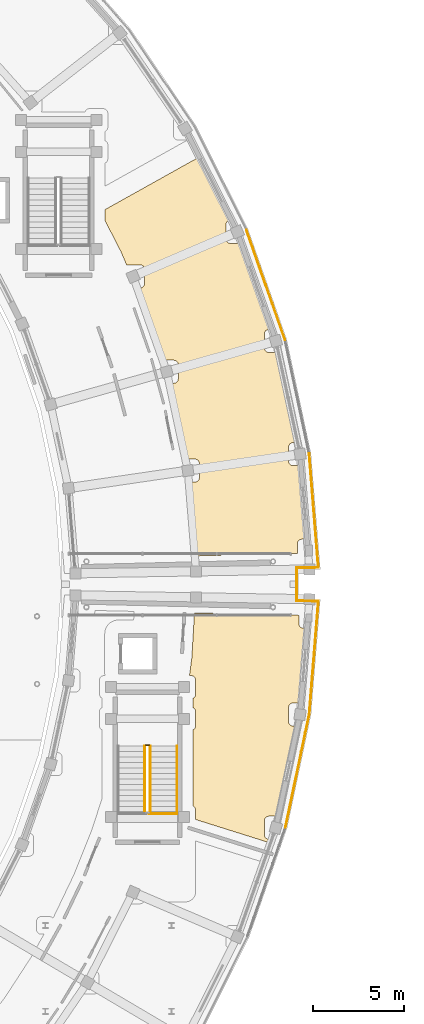
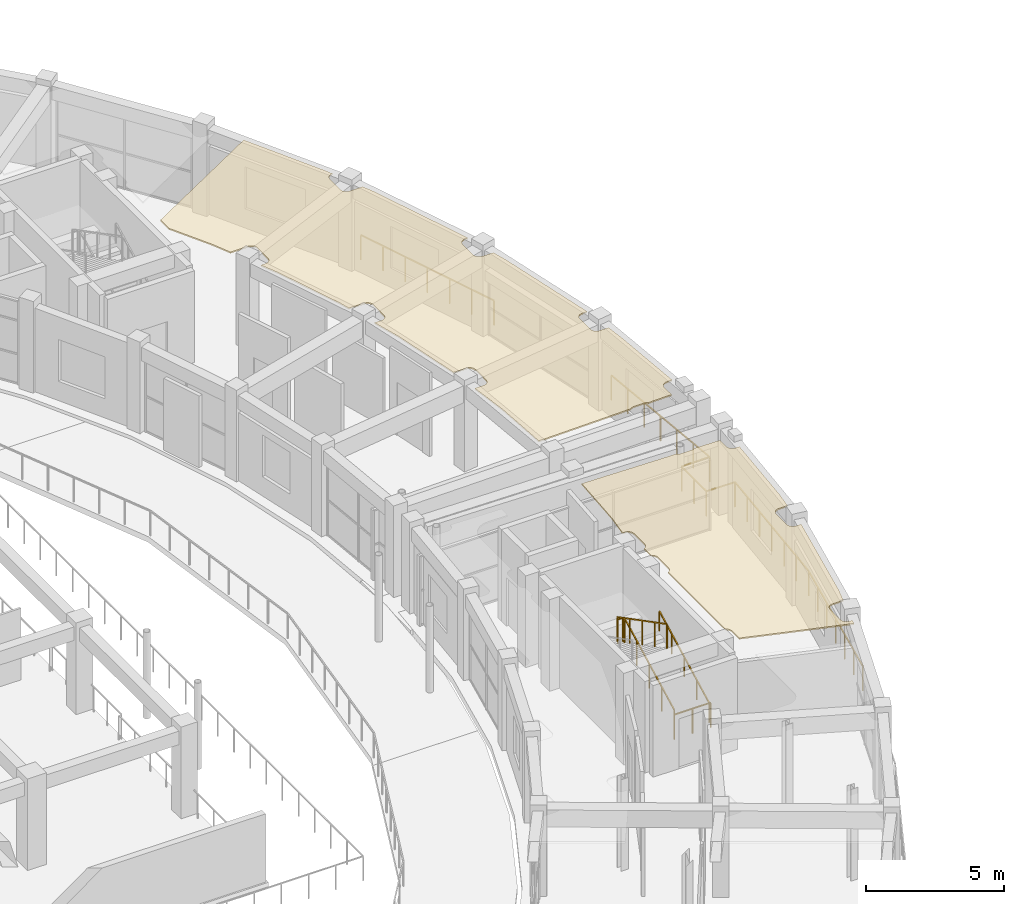
# One storey, part 79 of 83: 12 railings, 2 coverings.
"""IFC4 building model written with IfcOpenShell, lengths in metres."""

from ifc_helpers import new_model, si_unit, direction, frame, origin, origin_2d, place, context, subcontext, project, spatial, polyline, rectangle, outline, extrude, material, layer, layer_set, type_object, element, save


model = new_model("IFC4")

# Units and contexts
model_context = context("Model", 3, precision=1e-05, world=origin(), true_north=direction((0.0, 1.0)))
body_context = subcontext(model_context, "Body", "Model", "MODEL_VIEW")
ifc_project = project(units=[si_unit("LENGTHUNIT", "METRE"), si_unit("AREAUNIT", "SQUARE_METRE"), si_unit("VOLUMEUNIT", "CUBIC_METRE"), si_unit("PLANEANGLEUNIT", "RADIAN"), si_unit("MASSUNIT", "GRAM", prefix="KILO")], contexts=[model_context])

# Site, building, storey
site_placement = place(None, origin())
site = spatial("IfcSite", under=ifc_project, at=site_placement, CompositionType="ELEMENT")
building_placement = place(site_placement, origin())
building = spatial("IfcBuilding", under=site, at=building_placement, Name="Saryqyr Civic Hall", CompositionType="ELEMENT")
storey_placement = place(building_placement, frame((0.0, 0.0, 9.14990234375)))
storey = spatial("IfcBuildingStorey", under=building, at=storey_placement, Name="L02", CompositionType="ELEMENT", Elevation=9.14990234375)

# Coverings
ifc_material_1 = material(Name="Mineral-fibre acoustic ceiling tile", Category="acoustic_tile")
ifc_layer_1 = layer(ifc_material_1, 0.06005859375, Name="Mineral-fibre acoustic ceiling tile")
ifc_layer_set_1 = layer_set([ifc_layer_1], Name="Mineral-fibre acoustic ceiling tile")
covering_type = type_object("IfcCoveringType", Name="INT-COV-CEIL-60", PredefinedType="CEILING", material=ifc_layer_set_1)
covering_1_placement = place(storey_placement, frame((0.0, 0.0, 3.72998046875)))
element("IfcCovering", 1, at=covering_1_placement, inside=storey, type_object=covering_type, Name="Acoustic ceiling Staff & Accessible MGN WC L02-E", PredefinedType="CEILING", context=body_context, shape_type="SweptSolid", body=[
    extrude(outline(polyline([(99.706298828125, 82.443359375), (103.612548828125, 82.351318359375), (103.625, 82.340087890625), (103.64453125, 82.32568359375), (103.665771484375, 82.31298828125), (103.687744140625, 82.302490234375), (103.7109375, 82.294189453125), (103.734619140625, 82.288330078125), (103.759033203125, 82.28466796875), (103.783447265625, 82.283447265625), (104.216552734375, 82.283447265625), (104.240966796875, 82.28466796875), (104.265380859375, 82.288330078125), (104.2890625, 82.294189453125), (104.312255859375, 82.302490234375), (104.334228515625, 82.31298828125), (104.35546875, 82.32568359375), (104.3662109375, 82.33349609375), (105.410400390625, 82.30908203125), (105.410400390625, 81.856689453125), (105.41162109375, 81.832275390625), (105.415283203125, 81.807861328125), (105.42138671875, 81.7841796875), (105.429443359375, 81.760986328125), (105.43994140625, 81.739013671875), (105.45263671875, 81.7177734375), (105.46728515625, 81.697998046875), (105.483642578125, 81.679931640625), (105.501953125, 81.663330078125), (105.521484375, 81.648681640625), (105.542724609375, 81.63623046875), (105.564697265625, 81.625732421875), (105.587890625, 81.617431640625), (105.61181640625, 81.611572265625), (105.635986328125, 81.60791015625), (105.660400390625, 81.606689453125), (105.82080078125, 81.606689453125), (105.56591796875, 78.27001953125), (105.46728515625, 77.510009765625), (105.10009765625, 77.510009765625), (105.075439453125, 77.5087890625), (105.05126953125, 77.505126953125), (105.02734375, 77.499267578125), (105.00439453125, 77.490966796875), (104.982177734375, 77.48046875), (104.961181640625, 77.468017578125), (104.94140625, 77.453369140625), (104.923095703125, 77.436767578125), (104.90673828125, 77.418701171875), (104.89208984375, 77.39892578125), (104.87939453125, 77.377685546875), (104.868896484375, 77.355712890625), (104.86083984375, 77.33251953125), (104.854736328125, 77.308837890625), (104.851318359375, 77.284423828125), (104.85009765625, 77.260009765625), (104.85009765625, 76.5), (104.851318359375, 76.4755859375), (104.854736328125, 76.451171875), (104.86083984375, 76.427490234375), (104.868896484375, 76.404296875), (104.87939453125, 76.382080078125), (104.89208984375, 76.361083984375), (104.90673828125, 76.34130859375), (104.923095703125, 76.3232421875), (104.94140625, 76.306640625), (104.961181640625, 76.2919921875), (104.982177734375, 76.279541015625), (105.00439453125, 76.26904296875), (105.02734375, 76.2607421875), (105.05126953125, 76.2548828125), (105.075439453125, 76.251220703125), (105.10009765625, 76.25), (105.3037109375, 76.25), (105.293701171875, 76.173828125), (104.4033203125, 71.953369140625), (104.228515625, 71.3212890625), (103.778076171875, 71.3212890625), (103.75341796875, 71.320068359375), (103.729248046875, 71.31640625), (103.705322265625, 71.310302734375), (103.682373046875, 71.30224609375), (103.66015625, 71.291748046875), (103.63916015625, 71.279052734375), (103.619384765625, 71.264404296875), (103.601318359375, 71.248046875), (103.584716796875, 71.229736328125), (103.570068359375, 71.210205078125), (103.5576171875, 71.18896484375), (103.547119140625, 71.1669921875), (103.538818359375, 71.143798828125), (103.53271484375, 71.1201171875), (103.529296875, 71.095703125), (103.528076171875, 71.0712890625), (103.528076171875, 70.311279296875), (103.529296875, 70.28662109375), (103.53271484375, 70.262451171875), (103.538818359375, 70.238525390625), (103.547119140625, 70.215576171875), (103.5576171875, 70.193359375), (103.570068359375, 70.17236328125), (103.584716796875, 70.152587890625), (103.601318359375, 70.134521484375), (103.619384765625, 70.117919921875), (103.63916015625, 70.103271484375), (103.66015625, 70.0908203125), (103.682373046875, 70.080078125), (103.705322265625, 70.072021484375), (103.729248046875, 70.06591796875), (103.75341796875, 70.0625), (103.778076171875, 70.061279296875), (103.88037109375, 70.061279296875), (103.825927734375, 69.86474609375), (99.77001953125, 71.14013671875), (99.77001953125, 71.655029296875), (99.768798828125, 71.679443359375), (99.76513671875, 71.703857421875), (99.75927734375, 71.7275390625), (99.7509765625, 71.750732421875), (99.740478515625, 71.772705078125), (99.727783203125, 71.7939453125), (99.71337890625, 71.813720703125), (99.69677734375, 71.831787109375), (99.6787109375, 71.848388671875), (99.658935546875, 71.86279296875), (99.6376953125, 71.87548828125), (99.6201171875, 71.8837890625), (99.6201171875, 76.041015625), (99.6376953125, 76.049560546875), (99.658935546875, 76.06201171875), (99.6787109375, 76.07666015625), (99.69677734375, 76.09326171875), (99.71337890625, 76.111328125), (99.727783203125, 76.131103515625), (99.740478515625, 76.152099609375), (99.7509765625, 76.17431640625), (99.75927734375, 76.197509765625), (99.76513671875, 76.22119140625), (99.768798828125, 76.24560546875), (99.77001953125, 76.27001953125), (99.77001953125, 77.030029296875), (99.768798828125, 77.054443359375), (99.76513671875, 77.078857421875), (99.75927734375, 77.1025390625), (99.7509765625, 77.125732421875), (99.740478515625, 77.147705078125), (99.727783203125, 77.1689453125), (99.71337890625, 77.188720703125), (99.69677734375, 77.206787109375), (99.6787109375, 77.223388671875), (99.658935546875, 77.23779296875), (99.6376953125, 77.25048828125), (99.6201171875, 77.2587890625), (99.6201171875, 77.77099609375), (99.6376953125, 77.779541015625), (99.658935546875, 77.7919921875), (99.6787109375, 77.806640625), (99.69677734375, 77.8232421875), (99.71337890625, 77.84130859375), (99.727783203125, 77.861083984375), (99.740478515625, 77.882080078125), (99.7509765625, 77.904296875), (99.75927734375, 77.927490234375), (99.76513671875, 77.951171875), (99.768798828125, 77.9755859375), (99.77001953125, 78.0), (99.77001953125, 78.760009765625), (99.768798828125, 78.784423828125), (99.76513671875, 78.808837890625), (99.75927734375, 78.83251953125), (99.7509765625, 78.855712890625), (99.740478515625, 78.877685546875), (99.727783203125, 78.89892578125), (99.71337890625, 78.918701171875), (99.69677734375, 78.936767578125), (99.6787109375, 78.953369140625), (99.658935546875, 78.968017578125), (99.6376953125, 78.98046875), (99.61572265625, 78.990966796875), (99.592529296875, 78.999267578125), (99.56884765625, 79.005126953125), (99.54443359375, 79.0087890625), (99.52001953125, 79.010009765625), (99.4345703125, 79.010009765625), (99.5595703125, 79.973388671875), (99.563232421875, 80.011962890625), (99.706298828125, 82.443359375)])), origin(), (0.0, 0.0, 1.0), 0.06005859375),
])
covering_2_placement = place(storey_placement, frame((0.0, 0.0, 3.72998046875)))
element("IfcCovering", 2, at=covering_2_placement, inside=storey, type_object=covering_type, Name="Acoustic ceiling Water Resources & Mudflow Protection Office", PredefinedType="CEILING", context=body_context, shape_type="SweptSolid", body=[
    extrude(outline(polyline([(99.357666015625, 89.589111328125), (99.725830078125, 89.589111328125), (99.750244140625, 89.59033203125), (99.774658203125, 89.593994140625), (99.79833984375, 89.599853515625), (99.821533203125, 89.608154296875), (99.843505859375, 89.61865234375), (99.86474609375, 89.631103515625), (99.884521484375, 89.645751953125), (99.902587890625, 89.662353515625), (99.919189453125, 89.680419921875), (99.93359375, 89.7001953125), (99.9462890625, 89.72119140625), (99.956787109375, 89.743408203125), (99.965087890625, 89.7666015625), (99.970947265625, 89.790283203125), (99.974609375, 89.814697265625), (99.975830078125, 89.839111328125), (99.975830078125, 90.59912109375), (99.974609375, 90.62353515625), (99.970947265625, 90.64794921875), (99.965087890625, 90.671630859375), (99.956787109375, 90.69482421875), (99.9462890625, 90.716796875), (99.93359375, 90.738037109375), (99.919189453125, 90.7578125), (99.902587890625, 90.77587890625), (99.884521484375, 90.79248046875), (99.86474609375, 90.806884765625), (99.843505859375, 90.819580078125), (99.821533203125, 90.830078125), (99.79833984375, 90.83837890625), (99.774658203125, 90.84423828125), (99.750244140625, 90.847900390625), (99.725830078125, 90.84912109375), (99.196044921875, 90.84912109375), (99.1904296875, 90.891845703125), (99.184326171875, 90.929443359375), (98.611083984375, 93.801025390625), (98.602294921875, 93.838134765625), (98.28662109375, 94.994873046875), (98.571044921875, 94.994873046875), (98.595703125, 94.99609375), (98.619873046875, 94.99951171875), (98.643798828125, 95.005615234375), (98.666748046875, 95.013916015625), (98.68896484375, 95.0244140625), (98.7099609375, 95.036865234375), (98.729736328125, 95.051513671875), (98.747802734375, 95.068115234375), (98.764404296875, 95.086181640625), (98.779052734375, 95.10595703125), (98.79150390625, 95.126953125), (98.802001953125, 95.149169921875), (98.810302734375, 95.172119140625), (98.81640625, 95.196044921875), (98.81982421875, 95.22021484375), (98.821044921875, 95.244873046875), (98.821044921875, 96.0048828125), (98.81982421875, 96.029296875), (98.81640625, 96.0537109375), (98.810302734375, 96.077392578125), (98.802001953125, 96.1005859375), (98.79150390625, 96.12255859375), (98.779052734375, 96.143798828125), (98.764404296875, 96.163330078125), (98.747802734375, 96.181640625), (98.729736328125, 96.197998046875), (98.7099609375, 96.212646484375), (98.68896484375, 96.225341796875), (98.666748046875, 96.23583984375), (98.643798828125, 96.243896484375), (98.619873046875, 96.25), (98.595703125, 96.253662109375), (98.571044921875, 96.2548828125), (97.942626953125, 96.2548828125), (97.831298828125, 96.662841796875), (97.81982421875, 96.699462890625), (96.854736328125, 99.4638671875), (96.8408203125, 99.49951171875), (96.53759765625, 100.206787109375), (96.729248046875, 100.206787109375), (96.75390625, 100.2080078125), (96.778076171875, 100.21142578125), (96.802001953125, 100.217529296875), (96.824951171875, 100.2255859375), (96.84716796875, 100.236083984375), (96.8681640625, 100.248779296875), (96.887939453125, 100.263427734375), (96.906005859375, 100.27978515625), (96.922607421875, 100.298095703125), (96.937255859375, 100.31787109375), (96.94970703125, 100.3388671875), (96.960205078125, 100.361083984375), (96.968505859375, 100.384033203125), (96.974609375, 100.407958984375), (96.97802734375, 100.43212890625), (96.979248046875, 100.456787109375), (96.979248046875, 101.216796875), (96.97802734375, 101.2412109375), (96.974609375, 101.265380859375), (96.968505859375, 101.289306640625), (96.960205078125, 101.3125), (96.94970703125, 101.33447265625), (96.937255859375, 101.355712890625), (96.922607421875, 101.375244140625), (96.906005859375, 101.3935546875), (96.887939453125, 101.409912109375), (96.8681640625, 101.424560546875), (96.84716796875, 101.437255859375), (96.824951171875, 101.44775390625), (96.802001953125, 101.455810546875), (96.778076171875, 101.4619140625), (96.75390625, 101.465576171875), (96.729248046875, 101.466796875), (95.9970703125, 101.466796875), (95.686279296875, 102.1904296875), (95.670166015625, 102.22509765625), (94.820068359375, 103.87939453125), (94.820068359375, 104.493896484375), (99.95068359375, 107.359619140625), (101.559814453125, 104.163818359375), (101.670654296875, 103.905517578125), (101.66943359375, 103.905517578125), (101.64501953125, 103.904296875), (101.62060546875, 103.90087890625), (101.5966796875, 103.894775390625), (101.57373046875, 103.88671875), (101.551513671875, 103.876220703125), (101.530517578125, 103.863525390625), (101.5107421875, 103.848876953125), (101.49267578125, 103.83251953125), (101.47607421875, 103.814208984375), (101.46142578125, 103.79443359375), (101.448974609375, 103.7734375), (101.4384765625, 103.751220703125), (101.43017578125, 103.728271484375), (101.42431640625, 103.704345703125), (101.420654296875, 103.68017578125), (101.41943359375, 103.655517578125), (101.41943359375, 102.8955078125), (101.420654296875, 102.87109375), (101.42431640625, 102.8466796875), (101.43017578125, 102.822998046875), (101.4384765625, 102.7998046875), (101.448974609375, 102.77783203125), (101.46142578125, 102.756591796875), (101.47607421875, 102.737060546875), (101.49267578125, 102.71875), (101.5107421875, 102.702392578125), (101.530517578125, 102.687744140625), (101.551513671875, 102.675048828125), (101.57373046875, 102.66455078125), (101.5966796875, 102.656494140625), (101.62060546875, 102.650390625), (101.64501953125, 102.646728515625), (101.66943359375, 102.6455078125), (102.211181640625, 102.6455078125), (102.397705078125, 102.2109375), (103.83447265625, 98.12158203125), (103.884521484375, 97.938720703125), (103.778076171875, 97.938720703125), (103.75341796875, 97.9375), (103.729248046875, 97.93408203125), (103.705322265625, 97.927978515625), (103.682373046875, 97.919921875), (103.66015625, 97.9091796875), (103.63916015625, 97.896728515625), (103.619384765625, 97.882080078125), (103.601318359375, 97.865478515625), (103.584716796875, 97.847412109375), (103.570068359375, 97.82763671875), (103.5576171875, 97.806640625), (103.547119140625, 97.784423828125), (103.538818359375, 97.761474609375), (103.53271484375, 97.737548828125), (103.529296875, 97.71337890625), (103.528076171875, 97.688720703125), (103.528076171875, 96.9287109375), (103.529296875, 96.904296875), (103.53271484375, 96.8798828125), (103.538818359375, 96.856201171875), (103.547119140625, 96.8330078125), (103.5576171875, 96.81103515625), (103.570068359375, 96.789794921875), (103.584716796875, 96.770263671875), (103.601318359375, 96.751953125), (103.619384765625, 96.735595703125), (103.63916015625, 96.720947265625), (103.66015625, 96.708251953125), (103.682373046875, 96.69775390625), (103.705322265625, 96.689697265625), (103.729248046875, 96.68359375), (103.75341796875, 96.679931640625), (103.778076171875, 96.6787109375), (104.228515625, 96.6787109375), (104.3916015625, 96.081298828125), (105.298583984375, 91.812744140625), (105.306640625, 91.75), (105.10009765625, 91.75), (105.075439453125, 91.748779296875), (105.05126953125, 91.7451171875), (105.02734375, 91.7392578125), (105.00439453125, 91.73095703125), (104.982177734375, 91.720458984375), (104.961181640625, 91.7080078125), (104.94140625, 91.693359375), (104.923095703125, 91.6767578125), (104.90673828125, 91.65869140625), (104.89208984375, 91.638916015625), (104.87939453125, 91.617919921875), (104.868896484375, 91.595703125), (104.86083984375, 91.572509765625), (104.854736328125, 91.548828125), (104.851318359375, 91.5244140625), (104.85009765625, 91.5), (104.85009765625, 90.739990234375), (104.851318359375, 90.715576171875), (104.854736328125, 90.691162109375), (104.86083984375, 90.66748046875), (104.868896484375, 90.644287109375), (104.87939453125, 90.622314453125), (104.89208984375, 90.60107421875), (104.90673828125, 90.581298828125), (104.923095703125, 90.563232421875), (104.94140625, 90.546630859375), (104.961181640625, 90.531982421875), (104.982177734375, 90.51953125), (105.00439453125, 90.509033203125), (105.02734375, 90.500732421875), (105.05126953125, 90.494873046875), (105.075439453125, 90.4912109375), (105.10009765625, 90.489990234375), (105.46826171875, 90.489990234375), (105.559326171875, 89.78125), (105.814453125, 86.46826171875), (105.58544921875, 86.46826171875), (105.56103515625, 86.467041015625), (105.53662109375, 86.46337890625), (105.512939453125, 86.45751953125), (105.48974609375, 86.44921875), (105.4677734375, 86.438720703125), (105.446533203125, 86.42626953125), (105.427001953125, 86.41162109375), (105.40869140625, 86.39501953125), (105.39208984375, 86.376953125), (105.377685546875, 86.357177734375), (105.364990234375, 86.336181640625), (105.3544921875, 86.31396484375), (105.34619140625, 86.291015625), (105.34033203125, 86.26708984375), (105.336669921875, 86.242919921875), (105.33544921875, 86.21826171875), (105.33544921875, 85.689208984375), (104.3662109375, 85.66650390625), (104.35546875, 85.67431640625), (104.334228515625, 85.68701171875), (104.312255859375, 85.697509765625), (104.2890625, 85.705810546875), (104.265380859375, 85.711669921875), (104.240966796875, 85.71533203125), (104.216552734375, 85.716552734375), (103.783447265625, 85.716552734375), (103.759033203125, 85.71533203125), (103.734619140625, 85.711669921875), (103.7109375, 85.705810546875), (103.687744140625, 85.697509765625), (103.665771484375, 85.68701171875), (103.64453125, 85.67431640625), (103.625, 85.659912109375), (103.612548828125, 85.648681640625), (99.706298828125, 85.556640625), (99.56689453125, 87.949462890625), (99.563232421875, 87.9873046875), (99.357666015625, 89.589111328125)])), origin(), (0.0, 0.0, 1.0), 0.06005859375),
])

# Railings
ifc_material_2 = material(Name="Warm brushed brass and laminated glass", Category="glass")
ifc_layer_2 = layer(ifc_material_2, 0.06005859375, Name="Warm brushed brass and laminated glass")
ifc_layer_set_2 = layer_set([ifc_layer_2], Name="Warm brushed brass and laminated glass")
railing_type_1 = type_object("IfcRailingType", Name="INT-RLG-BAL-1100", PredefinedType="BALUSTRADE", material=ifc_layer_set_2)
railing_1_placement = place(storey_placement, frame((97.2900390625, 71.56005859375, 0.15576171875)))
element("IfcRailing", 3, at=railing_1_placement, inside=storey, type_object=railing_type_1, Name="L02 ST-5 stair guard 1", PredefinedType="BALUSTRADE", context=body_context, shape_type="SweptSolid", body=[
    extrude(rectangle(XDim=0.048095703125, YDim=0.048095703125, at=origin_2d()), frame((0.0, 0.0, 1.076171875), z_axis=(0.0, 0.887472880572, 0.460859942119), x_axis=(-1.0, 0.0, 0.0)), (0.0, 0.0, 1.0), 4.056396484375),
    extrude(rectangle(XDim=0.0419921875, YDim=0.0419921875, at=origin_2d()), origin(), (0.0, 0.0, 1.0), 1.052001953125),
    extrude(rectangle(XDim=0.0419921875, YDim=0.0419921875, at=origin_2d()), frame((0.0, 0.89990234375, 0.46728515625)), (0.0, 0.0, 1.0), 1.052001953125),
    extrude(rectangle(XDim=0.0419921875, YDim=0.0419921875, at=origin_2d()), frame((0.0, 1.7998046875, 0.9345703125)), (0.0, 0.0, 1.0), 1.052001953125),
    extrude(rectangle(XDim=0.0419921875, YDim=0.0419921875, at=origin_2d()), frame((0.0, 2.699951171875, 1.402099609375)), (0.0, 0.0, 1.0), 1.052001953125),
    extrude(rectangle(XDim=0.0419921875, YDim=0.0419921875, at=origin_2d()), frame((0.0, 3.599853515625, 1.869384765625)), (0.0, 0.0, 1.0), 1.052001953125),
])
railing_2_placement = place(storey_placement, frame((97.239990234375, 75.2099609375, 2.025146484375)))
element("IfcRailing", 4, at=railing_2_placement, inside=storey, type_object=railing_type_1, Name="L02 ST-5 stair guard 2", PredefinedType="BALUSTRADE", context=body_context, shape_type="SweptSolid", body=[
    extrude(rectangle(XDim=0.048095703125, YDim=0.048095703125, at=origin_2d()), frame((0.0, 0.0, 1.076171875), z_axis=(-1.0, 0.0, 0.0), x_axis=(0.0, -1.0, 0.0)), (0.0, 0.0, 1.0), 0.199951171875),
    extrude(rectangle(XDim=0.0419921875, YDim=0.0419921875, at=origin_2d()), origin(), (0.0, 0.0, 1.0), 1.052001953125),
    extrude(rectangle(XDim=0.0419921875, YDim=0.0419921875, at=origin_2d()), frame((-0.199951171875, 0.0, 0.0)), (0.0, 0.0, 1.0), 1.052001953125),
])
railing_3_placement = place(storey_placement, frame((96.989990234375, 75.159912109375, 2.180908203125)))
element("IfcRailing", 5, at=railing_3_placement, inside=storey, type_object=railing_type_1, Name="L02 ST-5 stair guard 3", PredefinedType="BALUSTRADE", context=body_context, shape_type="SweptSolid", body=[
    extrude(rectangle(XDim=0.048095703125, YDim=0.048095703125, at=origin_2d()), frame((0.0, 0.0, 1.076171875), z_axis=(0.0, -0.887497496945, 0.460812535545), x_axis=(1.0, 0.0, 0.0)), (0.0, 0.0, 1.0), 4.05615234375),
    extrude(rectangle(XDim=0.0419921875, YDim=0.0419921875, at=origin_2d()), origin(), (0.0, 0.0, 1.0), 1.052001953125),
    extrude(rectangle(XDim=0.0419921875, YDim=0.0419921875, at=origin_2d()), frame((0.0, -0.89990234375, 0.46728515625)), (0.0, 0.0, 1.0), 1.052001953125),
    extrude(rectangle(XDim=0.0419921875, YDim=0.0419921875, at=origin_2d()), frame((0.0, -1.7998046875, 0.9345703125)), (0.0, 0.0, 1.0), 1.052001953125),
    extrude(rectangle(XDim=0.0419921875, YDim=0.0419921875, at=origin_2d()), frame((0.0, -2.699951171875, 1.40185546875)), (0.0, 0.0, 1.0), 1.052001953125),
    extrude(rectangle(XDim=0.0419921875, YDim=0.0419921875, at=origin_2d()), frame((0.0, -3.599853515625, 1.869140625)), (0.0, 0.0, 1.0), 1.052001953125),
])
railing_4_placement = place(storey_placement, frame((102.55029296875, 103.375244140625, 0.0)))
element("IfcRailing", 6, at=railing_4_placement, inside=storey, type_object=railing_type_1, Name="Interior deck safety balustrade L02-031", PredefinedType="BALUSTRADE", context=body_context, shape_type="SweptSolid", body=[
    extrude(rectangle(XDim=0.048095703125, YDim=0.048095703125, at=origin_2d()), frame((0.0, 0.0, 1.09619140625), z_axis=(0.331496156423, -0.943456569364, 0.0), x_axis=(0.943456569364, 0.331496156423, 0.0)), (0.0, 0.0, 1.0), 6.358154296875),
    extrude(rectangle(XDim=0.0419921875, YDim=0.0419921875, at=origin_2d()), origin(), (0.0, 0.0, 1.0), 1.072021484375),
    extrude(rectangle(XDim=0.0419921875, YDim=0.0419921875, at=origin_2d()), frame((0.351318359375, -0.999755859375, 0.0)), (0.0, 0.0, 1.0), 1.072021484375),
    extrude(rectangle(XDim=0.0419921875, YDim=0.0419921875, at=origin_2d()), frame((0.70263671875, -1.99951171875, 0.0)), (0.0, 0.0, 1.0), 1.072021484375),
    extrude(rectangle(XDim=0.0419921875, YDim=0.0419921875, at=origin_2d()), frame((1.0537109375, -2.999267578125, 0.0)), (0.0, 0.0, 1.0), 1.072021484375),
    extrude(rectangle(XDim=0.0419921875, YDim=0.0419921875, at=origin_2d()), frame((1.405029296875, -3.9990234375, 0.0)), (0.0, 0.0, 1.0), 1.072021484375),
    extrude(rectangle(XDim=0.0419921875, YDim=0.0419921875, at=origin_2d()), frame((1.75634765625, -4.998779296875, 0.0)), (0.0, 0.0, 1.0), 1.072021484375),
    extrude(rectangle(XDim=0.0419921875, YDim=0.0419921875, at=origin_2d()), frame((2.107666015625, -5.99853515625, 0.0)), (0.0, 0.0, 1.0), 1.072021484375),
])
railing_5_placement = place(storey_placement, frame((105.9794921875, 91.15771484375, 0.0)))
element("IfcRailing", 7, at=railing_5_placement, inside=storey, type_object=railing_type_1, Name="Interior deck safety balustrade L02-033", PredefinedType="BALUSTRADE", context=body_context, shape_type="SweptSolid", body=[
    extrude(rectangle(XDim=0.048095703125, YDim=0.048095703125, at=origin_2d()), frame((0.0, 0.0, 1.09619140625), z_axis=(0.080762441528, -0.996733378612, 0.0), x_axis=(0.996733378612, 0.080762441528, 0.0)), (0.0, 0.0, 1.0), 6.257568359375),
    extrude(rectangle(XDim=0.0419921875, YDim=0.0419921875, at=origin_2d()), origin(), (0.0, 0.0, 1.0), 1.072021484375),
    extrude(rectangle(XDim=0.0419921875, YDim=0.0419921875, at=origin_2d()), frame((0.084228515625, -1.03955078125, 0.0)), (0.0, 0.0, 1.0), 1.072021484375),
    extrude(rectangle(XDim=0.0419921875, YDim=0.0419921875, at=origin_2d()), frame((0.16845703125, -2.0791015625, 0.0)), (0.0, 0.0, 1.0), 1.072021484375),
    extrude(rectangle(XDim=0.0419921875, YDim=0.0419921875, at=origin_2d()), frame((0.252685546875, -3.11865234375, 0.0)), (0.0, 0.0, 1.0), 1.072021484375),
    extrude(rectangle(XDim=0.0419921875, YDim=0.0419921875, at=origin_2d()), frame((0.3369140625, -4.157958984375, 0.0)), (0.0, 0.0, 1.0), 1.072021484375),
    extrude(rectangle(XDim=0.0419921875, YDim=0.0419921875, at=origin_2d()), frame((0.421142578125, -5.197509765625, 0.0)), (0.0, 0.0, 1.0), 1.072021484375),
    extrude(rectangle(XDim=0.0419921875, YDim=0.0419921875, at=origin_2d()), frame((0.50537109375, -6.237060546875, 0.0)), (0.0, 0.0, 1.0), 1.072021484375),
])
railing_6_placement = place(storey_placement, frame((106.48486328125, 84.920654296875, 0.0)))
element("IfcRailing", 8, at=railing_6_placement, inside=storey, type_object=railing_type_1, Name="Interior deck safety balustrade L02-034", PredefinedType="BALUSTRADE", context=body_context, shape_type="SweptSolid", body=[
    extrude(rectangle(XDim=0.048095703125, YDim=0.048095703125, at=origin_2d()), frame((0.0, 0.0, 1.09619140625), z_axis=(-0.999860739249, -0.016688382419, 0.0), x_axis=(0.016688382419, -0.999860739249, 0.0)), (0.0, 0.0, 1.0), 1.18505859375),
    extrude(rectangle(XDim=0.0419921875, YDim=0.0419921875, at=origin_2d()), origin(), (0.0, 0.0, 1.0), 1.072021484375),
    extrude(rectangle(XDim=0.0419921875, YDim=0.0419921875, at=origin_2d()), frame((-1.184814453125, -0.019775390625, 0.0)), (0.0, 0.0, 1.0), 1.072021484375),
])
railing_7_placement = place(storey_placement, frame((105.300048828125, 84.90087890625, 0.0)))
element("IfcRailing", 9, at=railing_7_placement, inside=storey, type_object=railing_type_1, Name="Interior deck safety balustrade L02-035", PredefinedType="BALUSTRADE", context=body_context, shape_type="SweptSolid", body=[
    extrude(rectangle(XDim=0.048095703125, YDim=0.048095703125, at=origin_2d()), frame((0.0, 0.0, 1.09619140625), z_axis=(0.0, -1.0, 0.0), x_axis=(1.0, 0.0, 0.0)), (0.0, 0.0, 1.0), 1.8017578125),
    extrude(rectangle(XDim=0.0419921875, YDim=0.0419921875, at=origin_2d()), origin(), (0.0, 0.0, 1.0), 1.072021484375),
    extrude(rectangle(XDim=0.0419921875, YDim=0.0419921875, at=origin_2d()), frame((0.0, -0.90087890625, 0.0)), (0.0, 0.0, 1.0), 1.072021484375),
    extrude(rectangle(XDim=0.0419921875, YDim=0.0419921875, at=origin_2d()), frame((0.0, -1.8017578125, 0.0)), (0.0, 0.0, 1.0), 1.072021484375),
])
railing_8_placement = place(storey_placement, frame((105.300048828125, 83.09912109375, 0.0)))
element("IfcRailing", 10, at=railing_8_placement, inside=storey, type_object=railing_type_1, Name="Interior deck safety balustrade L02-036", PredefinedType="BALUSTRADE", context=body_context, shape_type="SweptSolid", body=[
    extrude(rectangle(XDim=0.048095703125, YDim=0.048095703125, at=origin_2d()), frame((0.0, 0.0, 1.09619140625), z_axis=(0.999860796611, -0.016684945308, 0.0), x_axis=(0.016684945308, 0.999860796611, 0.0)), (0.0, 0.0, 1.0), 1.185302734375),
    extrude(rectangle(XDim=0.0419921875, YDim=0.0419921875, at=origin_2d()), origin(), (0.0, 0.0, 1.0), 1.072021484375),
    extrude(rectangle(XDim=0.0419921875, YDim=0.0419921875, at=origin_2d()), frame((1.18505859375, -0.019775390625, 0.0)), (0.0, 0.0, 1.0), 1.072021484375),
])
railing_9_placement = place(storey_placement, frame((106.485107421875, 83.079345703125, 0.0)))
element("IfcRailing", 11, at=railing_9_placement, inside=storey, type_object=railing_type_1, Name="Interior deck safety balustrade L02-037", PredefinedType="BALUSTRADE", context=body_context, shape_type="SweptSolid", body=[
    extrude(rectangle(XDim=0.048095703125, YDim=0.048095703125, at=origin_2d()), frame((0.0, 0.0, 1.09619140625), z_axis=(-0.080309228411, -0.996769997458, 0.0), x_axis=(0.996769997458, -0.080309228411, 0.0)), (0.0, 0.0, 1.0), 6.210693359375),
    extrude(rectangle(XDim=0.0419921875, YDim=0.0419921875, at=origin_2d()), origin(), (0.0, 0.0, 1.0), 1.072021484375),
    extrude(rectangle(XDim=0.0419921875, YDim=0.0419921875, at=origin_2d()), frame((-0.0830078125, -1.03173828125, 0.0)), (0.0, 0.0, 1.0), 1.072021484375),
    extrude(rectangle(XDim=0.0419921875, YDim=0.0419921875, at=origin_2d()), frame((-0.166259765625, -2.0634765625, 0.0)), (0.0, 0.0, 1.0), 1.072021484375),
    extrude(rectangle(XDim=0.0419921875, YDim=0.0419921875, at=origin_2d()), frame((-0.24951171875, -3.09521484375, 0.0)), (0.0, 0.0, 1.0), 1.072021484375),
    extrude(rectangle(XDim=0.0419921875, YDim=0.0419921875, at=origin_2d()), frame((-0.33251953125, -4.127197265625, 0.0)), (0.0, 0.0, 1.0), 1.072021484375),
    extrude(rectangle(XDim=0.0419921875, YDim=0.0419921875, at=origin_2d()), frame((-0.41552734375, -5.158935546875, 0.0)), (0.0, 0.0, 1.0), 1.072021484375),
    extrude(rectangle(XDim=0.0419921875, YDim=0.0419921875, at=origin_2d()), frame((-0.498779296875, -6.190673828125, 0.0)), (0.0, 0.0, 1.0), 1.072021484375),
])
railing_10_placement = place(storey_placement, frame((105.986328125, 76.888671875, 0.0)))
element("IfcRailing", 12, at=railing_10_placement, inside=storey, type_object=railing_type_1, Name="Interior deck safety balustrade L02-038", PredefinedType="BALUSTRADE", context=body_context, shape_type="SweptSolid", body=[
    extrude(rectangle(XDim=0.048095703125, YDim=0.048095703125, at=origin_2d()), frame((0.0, 0.0, 1.09619140625), z_axis=(-0.206453009757, -0.978456516541, 0.0), x_axis=(0.978456516541, -0.206453009757, 0.0)), (0.0, 0.0, 1.0), 6.311279296875),
    extrude(rectangle(XDim=0.0419921875, YDim=0.0419921875, at=origin_2d()), origin(), (0.0, 0.0, 1.0), 1.072021484375),
    extrude(rectangle(XDim=0.0419921875, YDim=0.0419921875, at=origin_2d()), frame((-0.21728515625, -1.029296875, 0.0)), (0.0, 0.0, 1.0), 1.072021484375),
    extrude(rectangle(XDim=0.0419921875, YDim=0.0419921875, at=origin_2d()), frame((-0.434326171875, -2.058349609375, 0.0)), (0.0, 0.0, 1.0), 1.072021484375),
    extrude(rectangle(XDim=0.0419921875, YDim=0.0419921875, at=origin_2d()), frame((-0.6513671875, -3.087646484375, 0.0)), (0.0, 0.0, 1.0), 1.072021484375),
    extrude(rectangle(XDim=0.0419921875, YDim=0.0419921875, at=origin_2d()), frame((-0.86865234375, -4.116943359375, 0.0)), (0.0, 0.0, 1.0), 1.072021484375),
    extrude(rectangle(XDim=0.0419921875, YDim=0.0419921875, at=origin_2d()), frame((-1.0859375, -5.14599609375, 0.0)), (0.0, 0.0, 1.0), 1.072021484375),
    extrude(rectangle(XDim=0.0419921875, YDim=0.0419921875, at=origin_2d()), frame((-1.302978515625, -6.17529296875, 0.0)), (0.0, 0.0, 1.0), 1.072021484375),
])
railing_11_placement = place(storey_placement, frame((97.239990234375, 71.4599609375, 0.0)))
element("IfcRailing", 13, at=railing_11_placement, inside=storey, type_object=railing_type_1, Name="Interior deck safety balustrade L02-053", PredefinedType="BALUSTRADE", context=body_context, shape_type="SweptSolid", body=[
    extrude(rectangle(XDim=0.048095703125, YDim=0.048095703125, at=origin_2d()), frame((0.0, 0.0, 1.09619140625), z_axis=(1.0, 0.0, 0.0), x_axis=(0.0, 1.0, 0.0)), (0.0, 0.0, 1.0), 1.514892578125),
    extrude(rectangle(XDim=0.0419921875, YDim=0.0419921875, at=origin_2d()), origin(), (0.0, 0.0, 1.0), 1.072021484375),
    extrude(rectangle(XDim=0.0419921875, YDim=0.0419921875, at=origin_2d()), frame((0.75732421875, 0.0, 0.0)), (0.0, 0.0, 1.0), 1.072021484375),
    extrude(rectangle(XDim=0.0419921875, YDim=0.0419921875, at=origin_2d()), frame((1.514892578125, 0.0, 0.0)), (0.0, 0.0, 1.0), 1.072021484375),
])
ifc_material_3 = material(Name="Stainless steel", Category="steel")
ifc_layer_3 = layer(ifc_material_3, 0.050048828125, Name="Stainless steel")
ifc_layer_set_3 = layer_set([ifc_layer_3], Name="Stainless steel")
railing_type_2 = type_object("IfcRailingType", Name="INT-RLG-HND-900", PredefinedType="HANDRAIL", material=ifc_layer_set_3)
railing_12_placement = place(storey_placement, frame((98.75, 71.56005859375, 0.15576171875)))
element("IfcRailing", 14, at=railing_12_placement, inside=storey, type_object=railing_type_2, Name="L02 ST-5 stair handrail 1", PredefinedType="HANDRAIL", context=body_context, shape_type="SweptSolid", body=[
    extrude(rectangle(XDim=0.048095703125, YDim=0.048095703125, at=origin_2d()), frame((0.0, 0.0, 0.8759765625), z_axis=(0.0, 0.887472880572, 0.460859942119), x_axis=(-1.0, 0.0, 0.0)), (0.0, 0.0, 1.0), 4.056396484375),
    extrude(rectangle(XDim=0.0419921875, YDim=0.0419921875, at=origin_2d()), origin(), (0.0, 0.0, 1.0), 0.851806640625),
    extrude(rectangle(XDim=0.0419921875, YDim=0.0419921875, at=origin_2d()), frame((0.0, 0.89990234375, 0.46728515625)), (0.0, 0.0, 1.0), 0.851806640625),
    extrude(rectangle(XDim=0.0419921875, YDim=0.0419921875, at=origin_2d()), frame((0.0, 1.7998046875, 0.9345703125)), (0.0, 0.0, 1.0), 0.851806640625),
    extrude(rectangle(XDim=0.0419921875, YDim=0.0419921875, at=origin_2d()), frame((0.0, 2.699951171875, 1.402099609375)), (0.0, 0.0, 1.0), 0.851806640625),
    extrude(rectangle(XDim=0.0419921875, YDim=0.0419921875, at=origin_2d()), frame((0.0, 3.599853515625, 1.869384765625)), (0.0, 0.0, 1.0), 0.851806640625),
])

save(model, "model.ifc")
